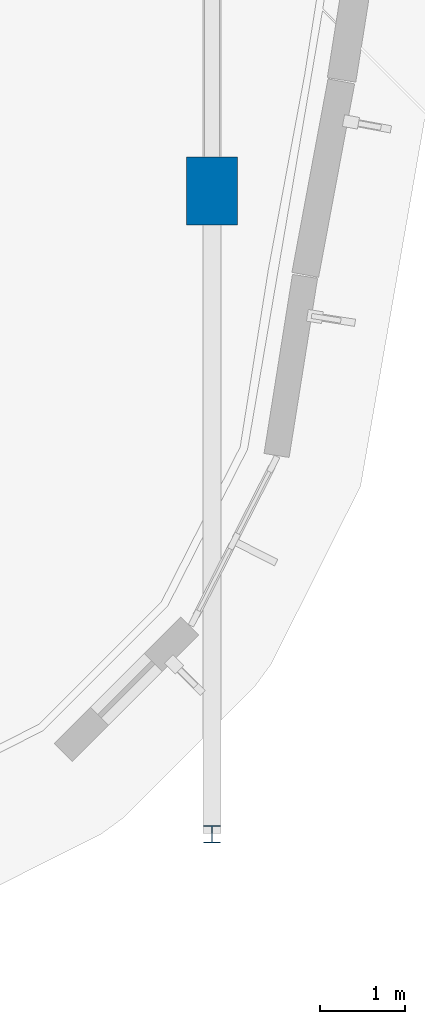
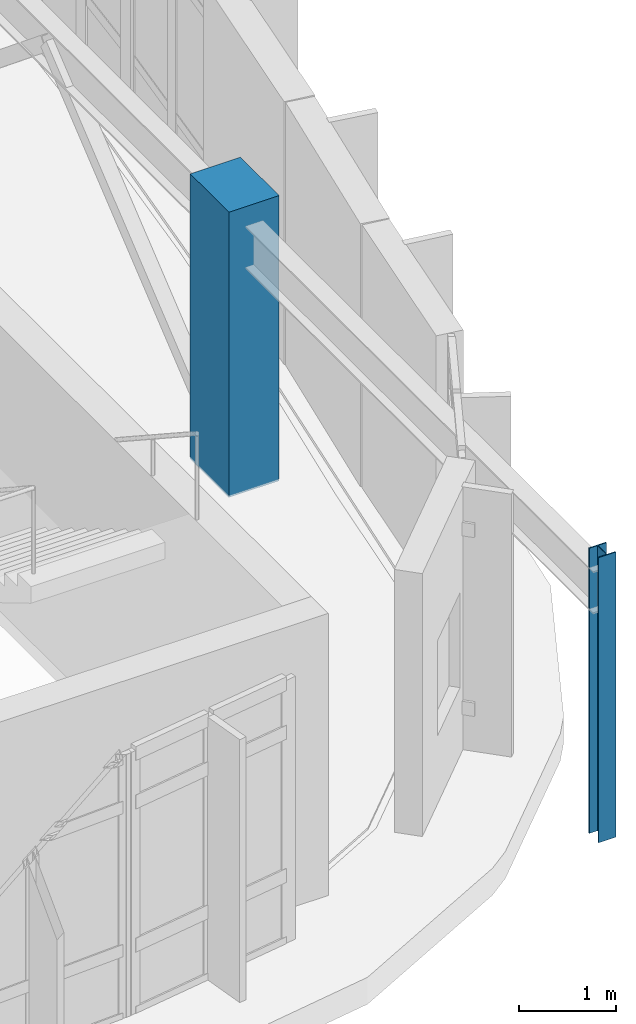
# One storey, part 2 of 30: 2 columns.
"""IFC4 building model written with IfcOpenShell, lengths in metres."""

from ifc_helpers import new_model, si_unit, direction, frame, origin, origin_2d, place, context, subcontext, project, spatial, rectangle, i_section, extrude, material, material_profile, profile_set, type_object, element, save


model = new_model("IFC4")

# Units and contexts
model_context = context("Model", 3, precision=1e-05, world=origin(), true_north=direction((0.0, 1.0)))
body_context = subcontext(model_context, "Body", "Model", "MODEL_VIEW")
ifc_project = project(units=[si_unit("LENGTHUNIT", "METRE"), si_unit("AREAUNIT", "SQUARE_METRE"), si_unit("VOLUMEUNIT", "CUBIC_METRE"), si_unit("PLANEANGLEUNIT", "RADIAN"), si_unit("MASSUNIT", "GRAM", prefix="KILO")], contexts=[model_context])

# Site, building, storey
site_placement = place(None, origin())
site = spatial("IfcSite", under=ifc_project, at=site_placement, CompositionType="ELEMENT")
building_placement = place(site_placement, origin())
building = spatial("IfcBuilding", under=site, at=building_placement, Name="Corveleigh Park Community Centre", CompositionType="ELEMENT")
storey_placement = place(building_placement, frame((0.0, 0.0, 12.60009765625)))
storey = spatial("IfcBuildingStorey", under=building, at=storey_placement, Name="L03", CompositionType="ELEMENT", Elevation=12.60009765625)

# Columns
ifc_material_1 = material(Name="Concrete C40/50", Category="concrete")
ifc_material_profile_1 = material_profile(ifc_material_1, rectangle(XDim=0.60009765625, YDim=0.800048828125, at=origin_2d()), Name="RC-600x800", Category="concrete")
ifc_profile_set_1 = profile_set([ifc_material_profile_1], Name="Concrete C40/50")
column_type_1 = type_object("IfcColumnType", Name="COL-RC-600x800", PredefinedType="COLUMN", material=ifc_profile_set_1)
column_1_placement = place(storey_placement, frame((168.39990234375, 66.199951171875, 0.0), z_axis=(0.0, 0.0, 1.0), x_axis=(1.0, 0.0, 0.0)))
element("IfcColumn", 1, at=column_1_placement, inside=storey, type_object=column_type_1, Name="Column V4-X7Y1 L03", PredefinedType="COLUMN", context=body_context, shape_type="SweptSolid", body=[
    extrude(rectangle(XDim=0.60009765625, YDim=0.800048828125, at=origin_2d()), origin(), (0.0, 0.0, 1.0), 3.599853515625),
])
ifc_material_2 = material(Name="Steel S355", Category="steel")
ifc_material_profile_2 = material_profile(ifc_material_2, i_section(OverallWidth=0.204345703125, OverallDepth=0.206298828125, WebThickness=0.0078125, FlangeThickness=0.012451171875, at=origin_2d()), Name="UKC 203x203x52", Category="steel")
ifc_profile_set_2 = profile_set([ifc_material_profile_2], Name="Steel S355")
column_type_2 = type_object("IfcColumnType", Name="COL-STL-UKC203x52", PredefinedType="COLUMN", material=ifc_profile_set_2)
column_2_placement = place(storey_placement, frame((168.39990234375, 58.60009765625, 0.0), z_axis=(0.0, 0.0, 1.0), x_axis=(1.0, 0.0, 0.0)))
element("IfcColumn", 2, at=column_2_placement, inside=storey, type_object=column_type_2, Name="Column V4-X7Y0 L03", PredefinedType="COLUMN", context=body_context, shape_type="SweptSolid", body=[
    extrude(i_section(OverallWidth=0.204345703125, OverallDepth=0.206298828125, WebThickness=0.0078125, FlangeThickness=0.012451171875, at=origin_2d()), origin(), (0.0, 0.0, 1.0), 3.599853515625),
])

save(model, "model.ifc")
